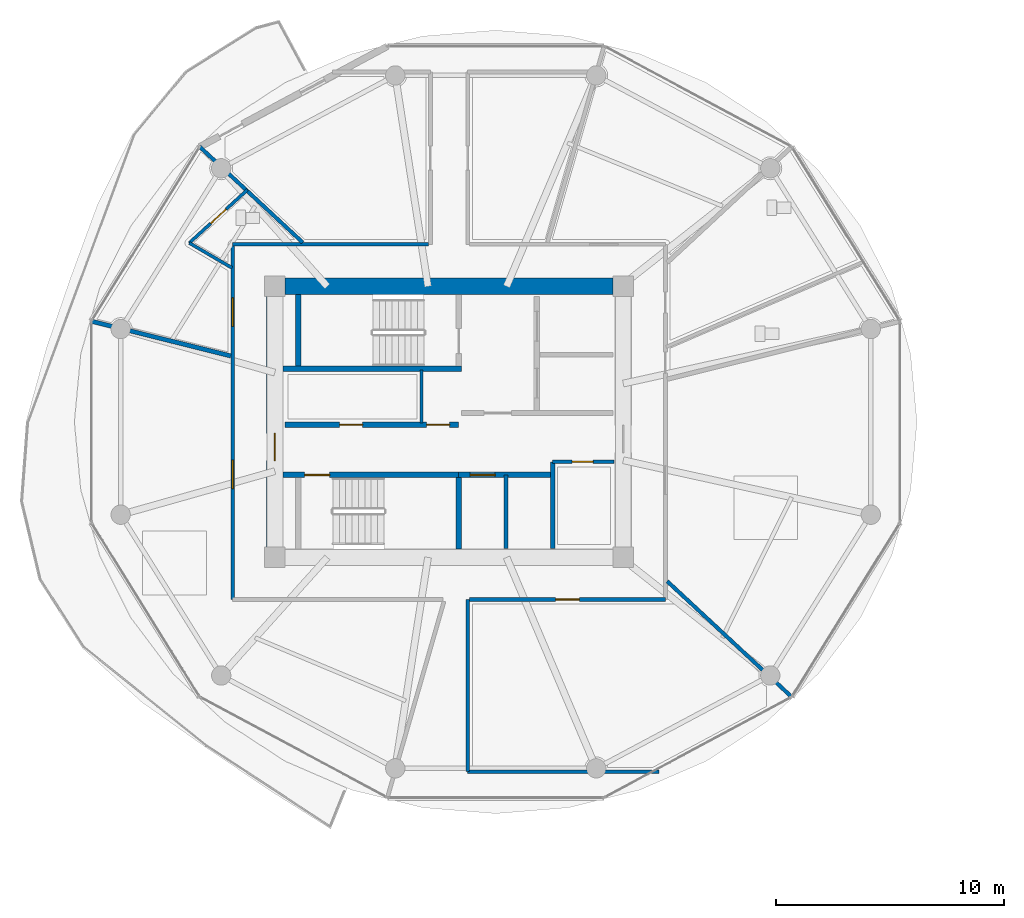
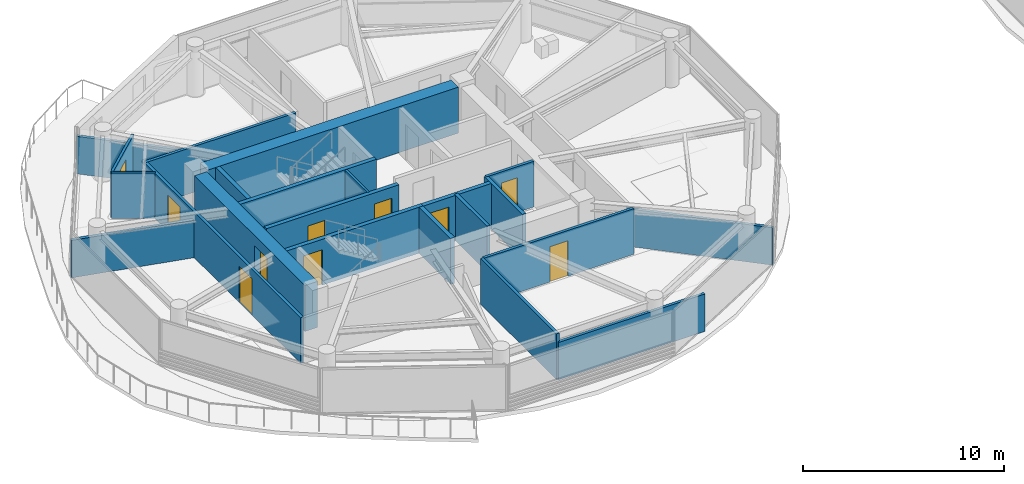
# One storey, part 13 of 25: 22 walls, 10 doors, 10 openings.
"""IFC4 building model written with IfcOpenShell, lengths in metres."""

from ifc_helpers import new_model, si_unit, direction, frame, frame_2d, origin, place, context, subcontext, project, spatial, rectangle, extrude, source, transform, mapped, material, layer, layer_set, type_object, type_shapes, element, fill, save


model = new_model("IFC4")

# Units and contexts
model_context = context("Model", 3, precision=1e-05, world=origin(), true_north=direction((0.0, 1.0)))
body_context = subcontext(model_context, "Body", "Model", "MODEL_VIEW")
ifc_project = project(units=[si_unit("LENGTHUNIT", "METRE"), si_unit("AREAUNIT", "SQUARE_METRE"), si_unit("VOLUMEUNIT", "CUBIC_METRE"), si_unit("PLANEANGLEUNIT", "RADIAN"), si_unit("MASSUNIT", "GRAM", prefix="KILO")], contexts=[model_context])

# Site, building, storey
site_placement = place(None, origin())
site = spatial("IfcSite", under=ifc_project, at=site_placement, CompositionType="ELEMENT")
building_placement = place(site_placement, origin())
building = spatial("IfcBuilding", under=site, at=building_placement, Name="Norrkilde Senior Care Towers", CompositionType="ELEMENT")
storey_placement = place(building_placement, frame((0.0, 0.0, 99.300048828125)))
storey = spatial("IfcBuildingStorey", under=building, at=storey_placement, Name="L30", CompositionType="ELEMENT", Elevation=99.300048828125)

# Wall
ifc_material_1 = material(Name="Concrete C60/75", Category="concrete")
ifc_layer_1 = layer(ifc_material_1, 0.719970703125)
ifc_layer_set_1 = layer_set([ifc_layer_1], Name="Concrete C60/75")
wall_type_1 = type_object("IfcWallType", Name="Core Shear Wall Z2 720", PredefinedType="SHEAR", material=ifc_layer_set_1)
shared_shape_1 = source(origin(), body_context, "Body", "SweptSolid", [
    extrude(rectangle(XDim=14.39990234375, YDim=0.719970703125, at=frame_2d((7.199951171875, 0.0))), origin(), (0.0, 0.0, 1.0), 2.7900390625),
])
wall_1_placement = place(storey_placement, frame((-35.199951171875, 5.949951171875, 0.0), z_axis=(0.0, 0.0, 1.0), x_axis=(1.0, 0.0, 0.0)))
element("IfcWall", 1, at=wall_1_placement, inside=storey, type_object=wall_type_1, Name="L30 Core W North Shear Wall", PredefinedType="SHEAR", context=body_context, shape_type="MappedRepresentation", body=[
    mapped(shared_shape_1, transform((0.0, 0.0, 0.0), x_axis=(1.0, 0.0, 0.0), y_axis=(0.0, 1.0, 0.0), z_axis=(0.0, 0.0, 1.0), scale=1.0)),
])

# Wall, opening, door
shared_shape_2 = source(origin(), body_context, "Body", "SweptSolid", [
    extrude(rectangle(XDim=11.0, YDim=0.719970703125, at=frame_2d((5.5, 0.0))), origin(), (0.0, 0.0, 1.0), 2.7900390625),
])
type_shapes(wall_type_1, [shared_shape_1, shared_shape_2])
wall_2_placement = place(storey_placement, frame((-35.64990234375, -5.5, 0.0), z_axis=(0.0, 0.0, 1.0), x_axis=(0.0, 1.0, 0.0)))
wall_2 = element("IfcWall", 2, at=wall_2_placement, inside=storey, type_object=wall_type_1, Name="L30 Core W West Shear Wall", PredefinedType="SHEAR", context=body_context, shape_type="MappedRepresentation", body=[
    mapped(shared_shape_2, transform((0.0, 0.0, 0.0), x_axis=(1.0, 0.0, 0.0), y_axis=(0.0, 1.0, 0.0), z_axis=(0.0, 0.0, 1.0), scale=1.0)),
])
opening_1_placement = place(wall_2_placement, frame((3.800048828125, 0.0, 0.0)))
opening_1 = element("IfcOpeningElement", 3, at=opening_1_placement, cuts=wall_2, Name="Opening D-04", PredefinedType="OPENING", context=body_context, shape_type="SweptSolid", body=[
    extrude(rectangle(XDim=1.199951171875, YDim=2.14990234375, at=frame_2d((0.60009765625, 1.074951171875))), frame((0.0, 0.369873046875, 0.0), z_axis=(0.0, -1.0, 0.0), x_axis=(1.0, 0.0, 0.0)), (0.0, 0.0, 1.0), 0.739990234375),
])
ifc_material_2 = material(Name="Galvanised Painted Steel", Category="steel")
door_type_1 = type_object("IfcDoorType", Name="Firefighting Lobby Fire Door 1200x2150", OperationType="NOTDEFINED", PredefinedType="DOOR", material=ifc_material_2)
shared_shape_3 = source(origin(), body_context, "Body", "SweptSolid", [
    extrude(rectangle(XDim=1.199951171875, YDim=2.14990234375, at=frame_2d((0.60009765625, 1.074951171875))), frame((0.0, 0.02490234375, 0.0), z_axis=(0.0, -1.0, 0.0), x_axis=(1.0, 0.0, 0.0)), (0.0, 0.0, 1.0), 0.050048828125),
])
type_shapes(door_type_1, [shared_shape_3])
door_1_placement = place(opening_1_placement, frame((1.199951171875, 0.0, 0.0), z_axis=(0.0, 0.0, 1.0), x_axis=(-1.0, 0.0, 0.0)))
door_1 = element("IfcDoor", 4, at=door_1_placement, inside=storey, type_object=door_type_1, Name="L30 Core W West Portal Door", OperationType="SINGLE_SWING_LEFT", OverallHeight=2.14990234375, OverallWidth=1.199951171875, PredefinedType="DOOR", context=body_context, shape_type="MappedRepresentation", body=[
    mapped(shared_shape_3, transform((0.0, 0.0, 0.0), x_axis=(1.0, 0.0, 0.0), y_axis=(0.0, 1.0, 0.0), z_axis=(0.0, 0.0, 1.0), scale=1.0)),
])
fill(opening_1, door_1)

# Wall, openings, doors
ifc_material_3 = material(Name="Concrete C45/55", Category="concrete")
ifc_layer_2 = layer(ifc_material_3, 0.239990234375)
ifc_layer_set_2 = layer_set([ifc_layer_2], Name="Concrete C45/55")
wall_type_2 = type_object("IfcWallType", Name="Lift and Plant Rated Enclosure Partition 240", PredefinedType="PARTITIONING", material=ifc_layer_set_2)
shared_shape_4 = source(origin(), body_context, "Body", "SweptSolid", [
    extrude(rectangle(XDim=7.619873046875, YDim=0.239990234375, at=frame_2d((3.81005859375, 0.0))), origin(), (0.0, 0.0, 1.0), 2.77490234375),
])
wall_3_placement = place(storey_placement, frame((-35.199951171875, -0.1298828125, 0.0), z_axis=(0.0, 0.0, 1.0), x_axis=(1.0, 0.0, 0.0)))
wall_3 = element("IfcWall", 5, at=wall_3_placement, inside=storey, type_object=wall_type_2, Name="WL-INT-L30-W-PKAS", PredefinedType="PARTITIONING", context=body_context, shape_type="MappedRepresentation", body=[
    mapped(shared_shape_4, transform((0.0, 0.0, 0.0), x_axis=(1.0, 0.0, 0.0), y_axis=(0.0, 1.0, 0.0), z_axis=(0.0, 0.0, 1.0), scale=1.0)),
])
opening_2_placement = place(wall_3_placement, frame((6.219970703125, 0.0, 0.0)))
opening_2 = element("IfcOpeningElement", 6, at=opening_2_placement, cuts=wall_3, Name="Opening D-10", PredefinedType="OPENING", context=body_context, shape_type="SweptSolid", body=[
    extrude(rectangle(XDim=1.0, YDim=2.10009765625, at=frame_2d((0.5, 1.050048828125))), frame((0.0, 0.1298828125, 0.0), z_axis=(0.0, -1.0, 0.0), x_axis=(1.0, 0.0, 0.0)), (0.0, 0.0, 1.0), 0.260009765625),
])
opening_3_placement = place(wall_3_placement, frame((2.39990234375, 0.0, 0.0)))
opening_3 = element("IfcOpeningElement", 7, at=opening_3_placement, cuts=wall_3, Name="Opening D-10", PredefinedType="OPENING", context=body_context, shape_type="SweptSolid", body=[
    extrude(rectangle(XDim=1.0, YDim=2.10009765625, at=frame_2d((0.5, 1.050048828125))), frame((0.0, 0.1298828125, 0.0), z_axis=(0.0, -1.0, 0.0), x_axis=(1.0, 0.0, 0.0)), (0.0, 0.0, 1.0), 0.260009765625),
])
door_type_2 = type_object("IfcDoorType", Name="Plant and Riser Rated Door 1000x2100", OperationType="NOTDEFINED", PredefinedType="DOOR", material=ifc_material_2)
shared_shape_5 = source(origin(), body_context, "Body", "SweptSolid", [
    extrude(rectangle(XDim=1.0, YDim=2.10009765625, at=frame_2d((0.5, 1.050048828125))), frame((0.0, 0.02490234375, 0.0), z_axis=(0.0, -1.0, 0.0), x_axis=(1.0, 0.0, 0.0)), (0.0, 0.0, 1.0), 0.050048828125),
])
type_shapes(door_type_2, [shared_shape_5])
door_2_placement = place(opening_2_placement, frame((1.0, 0.0, 0.0), z_axis=(0.0, 0.0, 1.0), x_axis=(-1.0, 0.0, 0.0)))
door_2 = element("IfcDoor", 8, at=door_2_placement, inside=storey, type_object=door_type_2, Name="L30 Electrical Riser W Door", OperationType="SINGLE_SWING_LEFT", OverallHeight=2.10009765625, OverallWidth=1.0, PredefinedType="DOOR", context=body_context, shape_type="MappedRepresentation", body=[
    mapped(shared_shape_5, transform((0.0, 0.0, 0.0), x_axis=(1.0, 0.0, 0.0), y_axis=(0.0, 1.0, 0.0), z_axis=(0.0, 0.0, 1.0), scale=1.0)),
])
fill(opening_2, door_2)
door_3_placement = place(opening_3_placement, frame((1.0, 0.0, 0.0), z_axis=(0.0, 0.0, 1.0), x_axis=(-1.0, 0.0, 0.0)))
door_3 = element("IfcDoor", 9, at=door_3_placement, inside=storey, type_object=door_type_2, Name="L30 Clean Supply Store W Door", OperationType="SINGLE_SWING_LEFT", OverallHeight=2.10009765625, OverallWidth=1.0, PredefinedType="DOOR", context=body_context, shape_type="MappedRepresentation", body=[
    mapped(shared_shape_5, transform((0.0, 0.0, 0.0), x_axis=(1.0, 0.0, 0.0), y_axis=(0.0, 1.0, 0.0), z_axis=(0.0, 0.0, 1.0), scale=1.0)),
])
fill(opening_3, door_3)

# Walls
ifc_material_4 = material(Name="Gypsum Acoustic Board")
ifc_layer_3 = layer(ifc_material_4, 0.114990234375)
ifc_layer_set_3 = layer_set([ifc_layer_3], Name="Gypsum Acoustic Board")
wall_type_3 = type_object("IfcWallType", Name="Internal Room Partition 115", PredefinedType="PARTITIONING", material=ifc_layer_set_3)
shared_shape_6 = source(origin(), body_context, "Body", "SweptSolid", [
    extrude(rectangle(XDim=2.330078125, YDim=0.114990234375, at=frame_2d((1.1650390625, 0.0))), origin(), (0.0, 0.0, 1.0), 2.77490234375),
])
type_shapes(wall_type_3, [shared_shape_6])
wall_4_placement = place(storey_placement, frame((-29.2099609375, -0.050048828125, 0.0), z_axis=(0.0, 0.0, 1.0), x_axis=(0.0, 1.0, 0.0)))
element("IfcWall", 10, at=wall_4_placement, inside=storey, type_object=wall_type_3, Name="WL-INT-L30-W-RISW", PredefinedType="PARTITIONING", context=body_context, shape_type="MappedRepresentation", body=[
    mapped(shared_shape_6, transform((0.0, 0.0, 0.0), x_axis=(1.0, 0.0, 0.0), y_axis=(0.0, 1.0, 0.0), z_axis=(0.0, 0.0, 1.0), scale=1.0)),
])
ifc_layer_4 = layer(ifc_material_3, 0.199951171875)
ifc_layer_set_4 = layer_set([ifc_layer_4], Name="Concrete C45/55")
wall_type_4 = type_object("IfcWallType", Name="Shaft Division and Plant Partition 200", PredefinedType="PARTITIONING", material=ifc_layer_set_4)
shared_shape_7 = source(origin(), body_context, "Body", "SweptSolid", [
    extrude(rectangle(XDim=3.800048828125, YDim=0.199951171875, at=frame_2d((1.89990234375, 0.0))), origin(), (0.0, 0.0, 1.0), 2.77490234375),
])
type_shapes(wall_type_4, [shared_shape_7])
wall_5_placement = place(storey_placement, frame((-23.449951171875, -5.550048828125, 0.0), z_axis=(0.0, 0.0, 1.0), x_axis=(0.0, 1.0, 0.0)))
element("IfcWall", 11, at=wall_5_placement, inside=storey, type_object=wall_type_4, Name="WL-INT-L30-W-PKBE", PredefinedType="PARTITIONING", context=body_context, shape_type="MappedRepresentation", body=[
    mapped(shared_shape_7, transform((0.0, 0.0, 0.0), x_axis=(1.0, 0.0, 0.0), y_axis=(0.0, 1.0, 0.0), z_axis=(0.0, 0.0, 1.0), scale=1.0)),
])

# Wall, opening, door
shared_shape_8 = source(origin(), body_context, "Body", "SweptSolid", [
    extrude(rectangle(XDim=4.130126953125, YDim=0.239990234375, at=frame_2d((2.06494140625, 0.0))), origin(), (0.0, 0.0, 1.0), 2.77490234375),
])
type_shapes(wall_type_2, [shared_shape_4, shared_shape_8])
wall_6_placement = place(storey_placement, frame((-27.580078125, -2.330078125, 0.0), z_axis=(0.0, 0.0, 1.0), x_axis=(1.0, 0.0, 0.0)))
wall_6 = element("IfcWall", 12, at=wall_6_placement, inside=storey, type_object=wall_type_2, Name="WL-INT-L30-W-PKBN", PredefinedType="PARTITIONING", context=body_context, shape_type="MappedRepresentation", body=[
    mapped(shared_shape_8, transform((0.0, 0.0, 0.0), x_axis=(1.0, 0.0, 0.0), y_axis=(0.0, 1.0, 0.0), z_axis=(0.0, 0.0, 1.0), scale=1.0)),
])
opening_4_placement = place(wall_6_placement, frame((0.5, 0.0, 0.0)))
opening_4 = element("IfcOpeningElement", 13, at=opening_4_placement, cuts=wall_6, Name="Opening LD-01", PredefinedType="OPENING", context=body_context, shape_type="SweptSolid", body=[
    extrude(rectangle(XDim=1.10009765625, YDim=2.199951171875, at=frame_2d((0.550048828125, 1.10009765625))), frame((0.0, 0.1298828125, 0.0), z_axis=(0.0, -1.0, 0.0), x_axis=(1.0, 0.0, 0.0)), (0.0, 0.0, 1.0), 0.260009765625),
])
ifc_material_5 = material(Name="Stainless Steel", Category="steel")
door_type_3 = type_object("IfcDoorType", Name="Lift Landing Sliding Door 1100x2200", OperationType="NOTDEFINED", PredefinedType="DOOR", material=ifc_material_5)
shared_shape_9 = source(origin(), body_context, "Body", "SweptSolid", [
    extrude(rectangle(XDim=1.10009765625, YDim=2.199951171875, at=frame_2d((0.550048828125, 1.10009765625))), frame((0.0, 0.02490234375, 0.0), z_axis=(0.0, -1.0, 0.0), x_axis=(1.0, 0.0, 0.0)), (0.0, 0.0, 1.0), 0.050048828125),
])
type_shapes(door_type_3, [shared_shape_9])
door_4_placement = place(opening_4_placement, frame((1.10009765625, 0.0, 0.0), z_axis=(0.0, 0.0, 1.0), x_axis=(-1.0, 0.0, 0.0)))
door_4 = element("IfcDoor", 14, at=door_4_placement, inside=storey, type_object=door_type_3, Name="L30 Passenger Lift W3 Landing Door", OperationType="SLIDING_TO_LEFT", OverallHeight=2.199951171875, OverallWidth=1.10009765625, PredefinedType="DOOR", context=body_context, shape_type="MappedRepresentation", body=[
    mapped(shared_shape_9, transform((0.0, 0.0, 0.0), x_axis=(1.0, 0.0, 0.0), y_axis=(0.0, 1.0, 0.0), z_axis=(0.0, 0.0, 1.0), scale=1.0)),
])
fill(opening_4, door_4)

# Wall
ifc_layer_5 = layer(ifc_material_3, 0.179931640625)
ifc_layer_set_5 = layer_set([ifc_layer_5], Name="Concrete C45/55")
wall_type_5 = type_object("IfcWallType", Name="Hoistway Division Rated Partition 180", PredefinedType="PARTITIONING", material=ifc_layer_set_5)
shared_shape_10 = source(origin(), body_context, "Body", "SweptSolid", [
    extrude(rectangle(XDim=3.219970703125, YDim=0.179931640625, at=frame_2d((1.60986328125, 0.0))), origin(), (0.0, 0.0, 1.0), 2.77490234375),
])
type_shapes(wall_type_5, [shared_shape_10])
wall_7_placement = place(storey_placement, frame((-25.5, -5.550048828125, 0.0), z_axis=(0.0, 0.0, 1.0), x_axis=(0.0, 1.0, 0.0)))
element("IfcWall", 15, at=wall_7_placement, inside=storey, type_object=wall_type_5, Name="WL-INT-L30-W-PL34", PredefinedType="PARTITIONING", context=body_context, shape_type="MappedRepresentation", body=[
    mapped(shared_shape_10, transform((0.0, 0.0, 0.0), x_axis=(1.0, 0.0, 0.0), y_axis=(0.0, 1.0, 0.0), z_axis=(0.0, 0.0, 1.0), scale=1.0)),
])

# Wall, opening, door
ifc_layer_6 = layer(ifc_material_4, 0.1650390625)
ifc_layer_set_6 = layer_set([ifc_layer_6], Name="Gypsum Acoustic Board")
wall_type_6 = type_object("IfcWallType", Name="Corridor Rated Partition 165", PredefinedType="PARTITIONING", material=ifc_layer_set_6)
shared_shape_11 = source(origin(), body_context, "Body", "SweptSolid", [
    extrude(rectangle(XDim=2.699951171875, YDim=0.1650390625, at=frame_2d((1.35009765625, 0.0))), origin(), (0.0, 0.0, 1.0), 2.77490234375),
])
wall_8_placement = place(storey_placement, frame((-23.449951171875, -1.75, 0.0), z_axis=(0.0, 0.0, 1.0), x_axis=(1.0, 0.0, 0.0)))
wall_8 = element("IfcWall", 16, at=wall_8_placement, inside=storey, type_object=wall_type_6, Name="WL-INT-L30-W-CSN", PredefinedType="PARTITIONING", context=body_context, shape_type="MappedRepresentation", body=[
    mapped(shared_shape_11, transform((0.0, 0.0, 0.0), x_axis=(1.0, 0.0, 0.0), y_axis=(0.0, 1.0, 0.0), z_axis=(0.0, 0.0, 1.0), scale=1.0)),
])
opening_5_placement = place(wall_8_placement, frame((0.85009765625, 0.0, 0.0)))
opening_5 = element("IfcOpeningElement", 17, at=opening_5_placement, cuts=wall_8, Name="Opening D-12", PredefinedType="OPENING", context=body_context, shape_type="SweptSolid", body=[
    extrude(rectangle(XDim=0.925048828125, YDim=2.10009765625, at=frame_2d((0.46240234375, 1.050048828125))), frame((0.0, 0.092529296875, 0.0), z_axis=(0.0, -1.0, 0.0), x_axis=(1.0, 0.0, 0.0)), (0.0, 0.0, 1.0), 0.18505859375),
])
door_type_4 = type_object("IfcDoorType", Name="Core Wet Room Rated Door 925x2100", OperationType="NOTDEFINED", PredefinedType="DOOR", material=ifc_material_2)
shared_shape_12 = source(origin(), body_context, "Body", "SweptSolid", [
    extrude(rectangle(XDim=0.925048828125, YDim=2.10009765625, at=frame_2d((0.46240234375, 1.050048828125))), frame((0.0, 0.02490234375, 0.0), z_axis=(0.0, -1.0, 0.0), x_axis=(1.0, 0.0, 0.0)), (0.0, 0.0, 1.0), 0.050048828125),
])
type_shapes(door_type_4, [shared_shape_12])
door_5_placement = place(opening_5_placement, origin())
door_5 = element("IfcDoor", 18, at=door_5_placement, inside=storey, type_object=door_type_4, Name="L30 Core Utility W Door", OperationType="SINGLE_SWING_LEFT", OverallHeight=2.10009765625, OverallWidth=0.925048828125, PredefinedType="DOOR", context=body_context, shape_type="MappedRepresentation", body=[
    mapped(shared_shape_12, transform((0.0, 0.0, 0.0), x_axis=(1.0, 0.0, 0.0), y_axis=(0.0, 1.0, 0.0), z_axis=(0.0, 0.0, 1.0), scale=1.0)),
])
fill(opening_5, door_5)

# Wall, openings, doors
shared_shape_13 = source(origin(), body_context, "Body", "SweptSolid", [
    extrude(rectangle(XDim=15.60009765625, YDim=0.1650390625, at=frame_2d((7.800048828125, 0.0))), origin(), (0.0, 0.0, 1.0), 2.77490234375),
])
wall_9_placement = place(storey_placement, frame((-37.5, -7.800048828125, 0.0), z_axis=(0.0, 0.0, 1.0), x_axis=(0.0, 1.0, 0.0)))
wall_9 = element("IfcWall", 19, at=wall_9_placement, inside=storey, type_object=wall_type_6, Name="WL-INT-L30-W-CRW-W-0", PredefinedType="PARTITIONING", context=body_context, shape_type="MappedRepresentation", body=[
    mapped(shared_shape_13, transform((0.0, 0.0, 0.0), x_axis=(1.0, 0.0, 0.0), y_axis=(0.0, 1.0, 0.0), z_axis=(0.0, 0.0, 1.0), scale=1.0)),
])
opening_6_placement = place(wall_9_placement, frame((11.994140625, 0.0, 0.0)))
opening_6 = element("IfcOpeningElement", 20, at=opening_6_placement, cuts=wall_9, Name="Opening D-05", PredefinedType="OPENING", context=body_context, shape_type="SweptSolid", body=[
    extrude(rectangle(XDim=1.25, YDim=2.199951171875, at=frame_2d((0.625, 1.10009765625))), frame((0.0, 0.092529296875, 0.0), z_axis=(0.0, -1.0, 0.0), x_axis=(1.0, 0.0, 0.0)), (0.0, 0.0, 1.0), 0.18505859375),
])
opening_7_placement = place(wall_9_placement, frame((4.867431640625, 0.0, 0.0)))
opening_7 = element("IfcOpeningElement", 21, at=opening_7_placement, cuts=wall_9, Name="Opening D-05", PredefinedType="OPENING", context=body_context, shape_type="SweptSolid", body=[
    extrude(rectangle(XDim=1.25, YDim=2.199951171875, at=frame_2d((0.625, 1.10009765625))), frame((0.0, 0.092529296875, 0.0), z_axis=(0.0, -1.0, 0.0), x_axis=(1.0, 0.0, 0.0)), (0.0, 0.0, 1.0), 0.18505859375),
])
ifc_material_6 = material(Name="Nordic Ash Timber", Category="wood")
door_type_5 = type_object("IfcDoorType", Name="Care Bedroom Bariatric Door 1250x2200", OperationType="NOTDEFINED", PredefinedType="DOOR", material=ifc_material_6)
shared_shape_14 = source(origin(), body_context, "Body", "SweptSolid", [
    extrude(rectangle(XDim=1.25, YDim=2.199951171875, at=frame_2d((0.625, 1.10009765625))), frame((0.0, 0.02490234375, 0.0), z_axis=(0.0, -1.0, 0.0), x_axis=(1.0, 0.0, 0.0)), (0.0, 0.0, 1.0), 0.050048828125),
])
type_shapes(door_type_5, [shared_shape_14])
door_6_placement = place(opening_6_placement, frame((1.25, 0.0, 0.0), z_axis=(0.0, 0.0, 1.0), x_axis=(-1.0, 0.0, 0.0)))
door_6 = element("IfcDoor", 22, at=door_6_placement, inside=storey, type_object=door_type_5, Name="L30 Care Suite 3004 Entrance Door", OperationType="SINGLE_SWING_LEFT", OverallHeight=2.199951171875, OverallWidth=1.25, PredefinedType="DOOR", context=body_context, shape_type="MappedRepresentation", body=[
    mapped(shared_shape_14, transform((0.0, 0.0, 0.0), x_axis=(1.0, 0.0, 0.0), y_axis=(0.0, 1.0, 0.0), z_axis=(0.0, 0.0, 1.0), scale=1.0)),
])
fill(opening_6, door_6)
door_7_placement = place(opening_7_placement, frame((1.25, 0.0, 0.0), z_axis=(0.0, 0.0, 1.0), x_axis=(-1.0, 0.0, 0.0)))
door_7 = element("IfcDoor", 23, at=door_7_placement, inside=storey, type_object=door_type_5, Name="L30 Household Communal Dining Salon Door", OperationType="SINGLE_SWING_RIGHT", OverallHeight=2.199951171875, OverallWidth=1.25, PredefinedType="DOOR", context=body_context, shape_type="MappedRepresentation", body=[
    mapped(shared_shape_14, transform((0.0, 0.0, 0.0), x_axis=(1.0, 0.0, 0.0), y_axis=(0.0, 1.0, 0.0), z_axis=(0.0, 0.0, 1.0), scale=1.0)),
])
fill(opening_7, door_7)

# Wall
ifc_layer_7 = layer(ifc_material_3, 0.239990234375)
ifc_layer_set_7 = layer_set([ifc_layer_7], Name="Concrete C45/55")
wall_type_7 = type_object("IfcWallType", Name="Shaft and Stair Enclosure Wall 240", PredefinedType="PARTITIONING", material=ifc_layer_set_7)
shared_shape_15 = source(origin(), body_context, "Body", "SweptSolid", [
    extrude(rectangle(XDim=7.830078125, YDim=0.239990234375, at=frame_2d((3.9150390625, 0.0))), origin(), (0.0, 0.0, 1.0), 2.7900390625),
])
wall_10_placement = place(storey_placement, frame((-35.2900390625, 2.330078125, 0.0), z_axis=(0.0, 0.0, 1.0), x_axis=(1.0, 0.0, 0.0)))
element("IfcWall", 24, at=wall_10_placement, inside=storey, type_object=wall_type_7, Name="WL-INT-L30-W-ST1S", PredefinedType="PARTITIONING", context=body_context, shape_type="MappedRepresentation", body=[
    mapped(shared_shape_15, transform((0.0, 0.0, 0.0), x_axis=(1.0, 0.0, 0.0), y_axis=(0.0, 1.0, 0.0), z_axis=(0.0, 0.0, 1.0), scale=1.0)),
])

# Wall, opening, door
wall_11_placement = place(storey_placement, frame((-35.2900390625, -2.330078125, 0.0), z_axis=(0.0, 0.0, 1.0), x_axis=(1.0, 0.0, 0.0)))
wall_11 = element("IfcWall", 25, at=wall_11_placement, inside=storey, type_object=wall_type_7, Name="WL-INT-L30-W-ST2N", PredefinedType="PARTITIONING", context=body_context, shape_type="MappedRepresentation", body=[
    mapped(shared_shape_15, transform((0.0, 0.0, 0.0), x_axis=(1.0, 0.0, 0.0), y_axis=(0.0, 1.0, 0.0), z_axis=(0.0, 0.0, 1.0), scale=1.0)),
])
opening_8_placement = place(wall_11_placement, frame((0.949951171875, 0.0, 0.0)))
opening_8 = element("IfcOpeningElement", 26, at=opening_8_placement, cuts=wall_11, Name="Opening D-03", PredefinedType="OPENING", context=body_context, shape_type="SweptSolid", body=[
    extrude(rectangle(XDim=1.10009765625, YDim=2.14990234375, at=frame_2d((0.550048828125, 1.074951171875))), frame((0.0, 0.1298828125, 0.0), z_axis=(0.0, -1.0, 0.0), x_axis=(1.0, 0.0, 0.0)), (0.0, 0.0, 1.0), 0.260009765625),
])
door_type_6 = type_object("IfcDoorType", Name="Stairwell Protected Fire Door 1100x2150", OperationType="NOTDEFINED", PredefinedType="DOOR", material=ifc_material_2)
shared_shape_16 = source(origin(), body_context, "Body", "SweptSolid", [
    extrude(rectangle(XDim=1.10009765625, YDim=2.14990234375, at=frame_2d((0.550048828125, 1.074951171875))), frame((0.0, 0.02490234375, 0.0), z_axis=(0.0, -1.0, 0.0), x_axis=(1.0, 0.0, 0.0)), (0.0, 0.0, 1.0), 0.050048828125),
])
type_shapes(door_type_6, [shared_shape_16])
door_8_placement = place(opening_8_placement, frame((1.10009765625, 0.0, 0.0), z_axis=(0.0, 0.0, 1.0), x_axis=(-1.0, 0.0, 0.0)))
door_8 = element("IfcDoor", 27, at=door_8_placement, inside=storey, type_object=door_type_6, Name="L30 Stair W2 Fire Door", OperationType="SINGLE_SWING_RIGHT", OverallHeight=2.14990234375, OverallWidth=1.10009765625, PredefinedType="DOOR", context=body_context, shape_type="MappedRepresentation", body=[
    mapped(shared_shape_16, transform((0.0, 0.0, 0.0), x_axis=(1.0, 0.0, 0.0), y_axis=(0.0, 1.0, 0.0), z_axis=(0.0, 0.0, 1.0), scale=1.0)),
])
fill(opening_8, door_8)

# Walls
shared_shape_17 = source(origin(), body_context, "Body", "SweptSolid", [
    extrude(rectangle(XDim=3.14013671875, YDim=0.239990234375, at=frame_2d((1.570068359375, 0.0))), origin(), (0.0, 0.0, 1.0), 2.7900390625),
])
type_shapes(wall_type_7, [shared_shape_15, shared_shape_17])
for number, where, z_axis, x_axis, name in (
    (28, (-34.6201171875, 2.449951171875, 0.0), (0.0, 0.0, 1.0), (0.0, 1.0, 0.0), "WL-INT-L30-W-ST1W"),
    (29, (-27.580078125, -5.590087890625, 0.0), (0.0, 0.0, 1.0), (0.0, 1.0, 0.0), "WL-INT-L30-W-ST2E"),
):
    element("IfcWall", number, at=place(storey_placement, frame(where, z_axis=z_axis, x_axis=x_axis)), inside=storey, type_object=wall_type_7, Name=name, PredefinedType="PARTITIONING", context=body_context, shape_type="MappedRepresentation", body=[
        mapped(shared_shape_17, transform((0.0, 0.0, 0.0), x_axis=(1.0, 0.0, 0.0), y_axis=(0.0, 1.0, 0.0), z_axis=(0.0, 0.0, 1.0), scale=1.0)),
    ])
shared_shape_18 = source(origin(), body_context, "Body", "SweptSolid", [
    extrude(rectangle(XDim=8.60009765625, YDim=0.1650390625, at=frame_2d((4.300048828125, 0.0))), origin(), (0.0, 0.0, 1.0), 2.77490234375),
])
wall_12_placement = place(storey_placement, frame((-37.5, 7.800048828125, 0.0), z_axis=(0.0, 0.0, 1.0), x_axis=(1.0, 0.0, 0.0)))
element("IfcWall", 30, at=wall_12_placement, inside=storey, type_object=wall_type_6, Name="WL-INT-L30-W-CRW-N-0", PredefinedType="PARTITIONING", context=body_context, shape_type="MappedRepresentation", body=[
    mapped(shared_shape_18, transform((0.0, 0.0, 0.0), x_axis=(1.0, 0.0, 0.0), y_axis=(0.0, 1.0, 0.0), z_axis=(0.0, 0.0, 1.0), scale=1.0)),
])

# Wall, opening, door
wall_13_placement = place(storey_placement, frame((-18.5, -7.800048828125, 0.0), z_axis=(0.0, 0.0, 1.0), x_axis=(-1.0, 0.0, 0.0)))
wall_13 = element("IfcWall", 31, at=wall_13_placement, inside=storey, type_object=wall_type_6, Name="WL-INT-L30-W-CRW-S-0", PredefinedType="PARTITIONING", context=body_context, shape_type="MappedRepresentation", body=[
    mapped(shared_shape_18, transform((0.0, 0.0, 0.0), x_axis=(1.0, 0.0, 0.0), y_axis=(0.0, 1.0, 0.0), z_axis=(0.0, 0.0, 1.0), scale=1.0)),
])
opening_9_placement = place(wall_13_placement, frame((3.77490234375, 0.0, 0.0)))
opening_9 = element("IfcOpeningElement", 32, at=opening_9_placement, cuts=wall_13, Name="Opening D-06", PredefinedType="OPENING", context=body_context, shape_type="SweptSolid", body=[
    extrude(rectangle(XDim=1.050048828125, YDim=2.14990234375, at=frame_2d((0.52490234375, 1.074951171875))), frame((0.0, 0.092529296875, 0.0), z_axis=(0.0, -1.0, 0.0), x_axis=(1.0, 0.0, 0.0)), (0.0, 0.0, 1.0), 0.18505859375),
])
door_type_7 = type_object("IfcDoorType", Name="Apartment Entrance Fire Door 1050x2150", OperationType="NOTDEFINED", PredefinedType="DOOR", material=ifc_material_6)
shared_shape_19 = source(origin(), body_context, "Body", "SweptSolid", [
    extrude(rectangle(XDim=1.050048828125, YDim=2.14990234375, at=frame_2d((0.52490234375, 1.074951171875))), frame((0.0, 0.02490234375, 0.0), z_axis=(0.0, -1.0, 0.0), x_axis=(1.0, 0.0, 0.0)), (0.0, 0.0, 1.0), 0.050048828125),
])
type_shapes(door_type_7, [shared_shape_19])
door_9_placement = place(opening_9_placement, frame((1.050048828125, 0.0, 0.0), z_axis=(0.0, 0.0, 1.0), x_axis=(-1.0, 0.0, 0.0)))
door_9 = element("IfcDoor", 33, at=door_9_placement, inside=storey, type_object=door_type_7, Name="L30 Reading Lounge SEL Door", OperationType="SINGLE_SWING_RIGHT", OverallHeight=2.14990234375, OverallWidth=1.050048828125, PredefinedType="DOOR", context=body_context, shape_type="MappedRepresentation", body=[
    mapped(shared_shape_19, transform((0.0, 0.0, 0.0), x_axis=(1.0, 0.0, 0.0), y_axis=(0.0, 1.0, 0.0), z_axis=(0.0, 0.0, 1.0), scale=1.0)),
])
fill(opening_9, door_9)

# Walls
shared_shape_20 = source(origin(), body_context, "Body", "SweptSolid", [
    extrude(rectangle(XDim=6.186767578125, YDim=0.1650390625, at=frame_2d((3.09326171875, 0.0))), origin(), (0.0, 0.0, 1.0), 2.27490234375),
])
wall_14_placement = place(storey_placement, frame((-34.428955078125, 7.8798828125, 0.0), z_axis=(0.0, 0.0, 1.0), x_axis=(-0.732501077882, 0.680765870841, 0.0)))
element("IfcWall", 34, at=wall_14_placement, inside=storey, type_object=wall_type_6, Name="WL-INT-L30-W-DEM-04-0", PredefinedType="PARTITIONING", context=body_context, shape_type="MappedRepresentation", body=[
    mapped(shared_shape_20, transform((0.0, 0.0, 0.0), x_axis=(1.0, 0.0, 0.0), y_axis=(0.0, 1.0, 0.0), z_axis=(0.0, 0.0, 1.0), scale=1.0)),
])
shared_shape_21 = source(origin(), body_context, "Body", "SweptSolid", [
    extrude(rectangle(XDim=7.482177734375, YDim=0.1650390625, at=frame_2d((3.7412109375, 0.0))), origin(), (0.0, 0.0, 1.0), 2.27490234375),
])
wall_15_placement = place(storey_placement, frame((-18.419921875, -6.998046875, 0.0), z_axis=(0.0, 0.0, 1.0), x_axis=(0.732508698043, -0.680757671489, 0.0)))
element("IfcWall", 35, at=wall_15_placement, inside=storey, type_object=wall_type_6, Name="WL-INT-L30-W-DEM-10-0", PredefinedType="PARTITIONING", context=body_context, shape_type="MappedRepresentation", body=[
    mapped(shared_shape_21, transform((0.0, 0.0, 0.0), x_axis=(1.0, 0.0, 0.0), y_axis=(0.0, 1.0, 0.0), z_axis=(0.0, 0.0, 1.0), scale=1.0)),
])
shared_shape_22 = source(origin(), body_context, "Body", "SweptSolid", [
    extrude(rectangle(XDim=7.56005859375, YDim=0.1650390625, at=frame_2d((3.780029296875, 0.0))), origin(), (0.0, 0.0, 1.0), 2.77490234375),
])
wall_16_placement = place(storey_placement, frame((-27.179931640625, -15.360107421875, 0.0), z_axis=(0.0, 0.0, 1.0), x_axis=(0.0, 1.0, 0.0)))
element("IfcWall", 36, at=wall_16_placement, inside=storey, type_object=wall_type_6, Name="WL-INT-L30-W-PKW-SEL", PredefinedType="PARTITIONING", context=body_context, shape_type="MappedRepresentation", body=[
    mapped(shared_shape_22, transform((0.0, 0.0, 0.0), x_axis=(1.0, 0.0, 0.0), y_axis=(0.0, 1.0, 0.0), z_axis=(0.0, 0.0, 1.0), scale=1.0)),
])
shared_shape_23 = source(origin(), body_context, "Body", "SweptSolid", [
    extrude(rectangle(XDim=8.406982421875, YDim=0.1650390625, at=frame_2d((4.20361328125, 0.0))), origin(), (0.0, 0.0, 1.0), 2.27490234375),
])
type_shapes(wall_type_6, [shared_shape_11, shared_shape_13, shared_shape_18, shared_shape_20, shared_shape_21, shared_shape_22, shared_shape_23])
wall_17_placement = place(storey_placement, frame((-27.179931640625, -15.360107421875, 0.0), z_axis=(0.0, 0.0, 1.0), x_axis=(1.0, 0.0, 0.0)))
element("IfcWall", 37, at=wall_17_placement, inside=storey, type_object=wall_type_6, Name="WL-INT-L30-W-PKH-SEL-0", PredefinedType="PARTITIONING", context=body_context, shape_type="MappedRepresentation", body=[
    mapped(shared_shape_23, transform((0.0, 0.0, 0.0), x_axis=(1.0, 0.0, 0.0), y_axis=(0.0, 1.0, 0.0), z_axis=(0.0, 0.0, 1.0), scale=1.0)),
])
ifc_layer_8 = layer(ifc_material_4, 0.18994140625)
ifc_layer_set_8 = layer_set([ifc_layer_8], Name="Gypsum Acoustic Board")
wall_type_8 = type_object("IfcWallType", Name="Unit Demising Acoustic Wall 190", PredefinedType="PARTITIONING", material=ifc_layer_set_8)
shared_shape_24 = source(origin(), body_context, "Body", "SweptSolid", [
    extrude(rectangle(XDim=6.33056640625, YDim=0.18994140625, at=frame_2d((3.165283203125, 0.0))), origin(), (0.0, 0.0, 1.0), 2.27490234375),
])
type_shapes(wall_type_8, [shared_shape_24])
wall_18_placement = place(storey_placement, frame((-37.580078125, 2.89599609375, 0.0), z_axis=(0.0, 0.0, 1.0), x_axis=(-0.97036440661, 0.241646267062, 0.0)))
element("IfcWall", 38, at=wall_18_placement, inside=storey, type_object=wall_type_8, Name="WL-INT-L30-W-DEM-05-0", PredefinedType="PARTITIONING", context=body_context, shape_type="MappedRepresentation", body=[
    mapped(shared_shape_24, transform((0.0, 0.0, 0.0), x_axis=(1.0, 0.0, 0.0), y_axis=(0.0, 1.0, 0.0), z_axis=(0.0, 0.0, 1.0), scale=1.0)),
])
ifc_layer_9 = layer(ifc_material_4, 0.139892578125)
ifc_layer_set_9 = layer_set([ifc_layer_9], Name="Gypsum Acoustic Board")
wall_type_9 = type_object("IfcWallType", Name="En-suite Wet Room Wall 140", PredefinedType="PARTITIONING", material=ifc_layer_set_9)
shared_shape_25 = source(origin(), body_context, "Body", "SweptSolid", [
    extrude(rectangle(XDim=2.171630859375, YDim=0.139892578125, at=frame_2d((1.0859375, 0.0))), origin(), (0.0, 0.0, 1.0), 2.77490234375),
])
wall_19_placement = place(storey_placement, frame((-37.530029296875, 6.761962890625, 0.0), z_axis=(0.0, 0.0, 1.0), x_axis=(-0.863562702562, 0.504241468688, 0.0)))
element("IfcWall", 39, at=wall_19_placement, inside=storey, type_object=wall_type_9, Name="WL-INT-L30-W-ES-04", PredefinedType="PARTITIONING", context=body_context, shape_type="MappedRepresentation", body=[
    mapped(shared_shape_25, transform((0.0, 0.0, 0.0), x_axis=(1.0, 0.0, 0.0), y_axis=(0.0, 1.0, 0.0), z_axis=(0.0, 0.0, 1.0), scale=1.0)),
])

# Wall, opening, door
shared_shape_26 = source(origin(), body_context, "Body", "SweptSolid", [
    extrude(rectangle(XDim=3.456787109375, YDim=0.139892578125, at=frame_2d((1.728515625, 0.0))), origin(), (0.0, 0.0, 1.0), 2.77490234375),
])
type_shapes(wall_type_9, [shared_shape_25, shared_shape_26])
wall_20_placement = place(storey_placement, frame((-39.4052734375, 7.85693359375, 0.0), z_axis=(0.0, 0.0, 1.0), x_axis=(0.737567375492, 0.675273549467, 0.0)))
wall_20 = element("IfcWall", 40, at=wall_20_placement, inside=storey, type_object=wall_type_9, Name="WL-INT-L30-W-EF-04", PredefinedType="PARTITIONING", context=body_context, shape_type="MappedRepresentation", body=[
    mapped(shared_shape_26, transform((0.0, 0.0, 0.0), x_axis=(1.0, 0.0, 0.0), y_axis=(0.0, 1.0, 0.0), z_axis=(0.0, 0.0, 1.0), scale=1.0)),
])
opening_10_placement = place(wall_20_placement, frame((1.268310546875, 0.0, 0.0)))
opening_10 = element("IfcOpeningElement", 41, at=opening_10_placement, cuts=wall_20, Name="Opening D-08", PredefinedType="OPENING", context=body_context, shape_type="SweptSolid", body=[
    extrude(rectangle(XDim=0.919921875, YDim=2.10009765625, at=frame_2d((0.4599609375, 1.050048828125))), frame((0.0, 0.079833984375, 0.0), z_axis=(0.0, -1.0, 0.0), x_axis=(1.0, 0.0, 0.0)), (0.0, 0.0, 1.0), 0.159912109375),
])
door_type_8 = type_object("IfcDoorType", Name="Accessible Wet Room Door 920x2100", OperationType="NOTDEFINED", PredefinedType="DOOR", material=ifc_material_6)
shared_shape_27 = source(origin(), body_context, "Body", "SweptSolid", [
    extrude(rectangle(XDim=0.919921875, YDim=2.10009765625, at=frame_2d((0.4599609375, 1.050048828125))), frame((0.0, 0.02490234375, 0.0), z_axis=(0.0, -1.0, 0.0), x_axis=(1.0, 0.0, 0.0)), (0.0, 0.0, 1.0), 0.050048828125),
])
type_shapes(door_type_8, [shared_shape_27])
door_10_placement = place(opening_10_placement, origin())
door_10 = element("IfcDoor", 42, at=door_10_placement, inside=storey, type_object=door_type_8, Name="L30 Care Suite 3004 Bathroom Door", OperationType="SINGLE_SWING_RIGHT", OverallHeight=2.10009765625, OverallWidth=0.919921875, PredefinedType="DOOR", context=body_context, shape_type="MappedRepresentation", body=[
    mapped(shared_shape_27, transform((0.0, 0.0, 0.0), x_axis=(1.0, 0.0, 0.0), y_axis=(0.0, 1.0, 0.0), z_axis=(0.0, 0.0, 1.0), scale=1.0)),
])
fill(opening_10, door_10)

save(model, "model.ifc")
